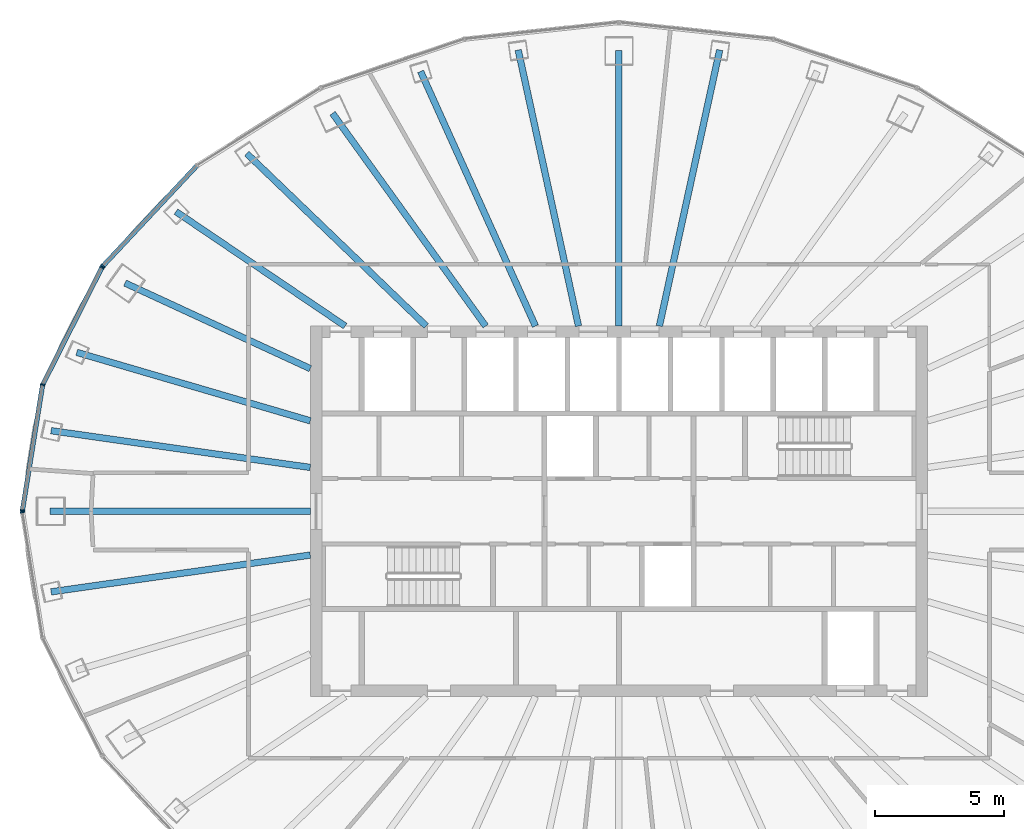
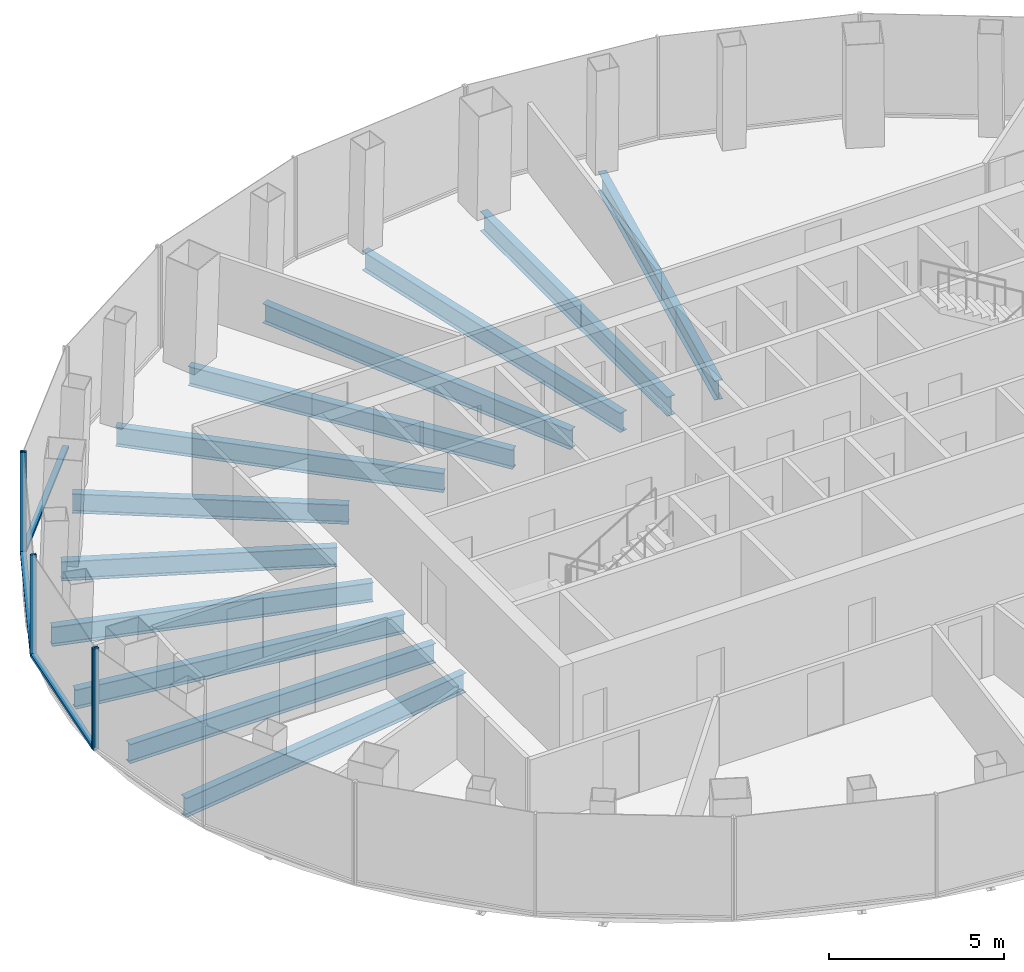
# One storey, part 4 of 11: 12 beams, 8 members, 3 elements without a shape of their own.
"""IFC4 building model written with IfcOpenShell, lengths in metres."""

import ifcopenshell
import ifcopenshell.guid

model = None  # the IFC model being written
_history = None  # IfcOwnerHistory: only IFC2X3 demands one
_inside = {}  # id of a spatial element -> (the spatial element, [elements in it])
_under = {}  # id of a project, library or spatial element -> (it, [spatial elements below it])
_declared = {}  # id of a project -> (the project, [libraries it declares])
_typed = {}  # id of a type object -> (the type object, [elements of that type])
_made_of = {}  # id of a material, layer set ... -> (it, [elements and type objects made of it])


def new_model(schema):
    """Start an empty IFC model of exactly this schema.

    Asked for "IFC4X3", IfcOpenShell would pick the latest addendum, in which some entities
    have other attributes; the version numbers below select the first issue.
    IFC2X3 requires an IfcOwnerHistory on every rooted entity: one is made here for all.
    """
    global model, _history
    if schema == "IFC4X3":
        model = ifcopenshell.file(schema_version=(4, 3, 0, 0))
    else:
        model = ifcopenshell.file(schema=schema)
    _inside.clear()
    _under.clear()
    _declared.clear()
    _typed.clear()
    _made_of.clear()
    _history = None
    if model.schema == "IFC2X3":
        org = make("IfcOrganization", Name="unknown")
        user = make(
            "IfcPersonAndOrganization",
            ThePerson=make("IfcPerson", FamilyName="unknown"),
            TheOrganization=org,
        )
        app = make(
            "IfcApplication",
            ApplicationDeveloper=org,
            Version="unknown",
            ApplicationFullName="unknown",
            ApplicationIdentifier="unknown",
        )
        _history = make(
            "IfcOwnerHistory",
            OwningUser=user,
            OwningApplication=app,
            ChangeAction="ADDED",
            CreationDate=0,
        )
    return model


def make(cls, **values):
    """One entity of the class cls with the attributes given. An attribute that is None is left unset."""
    return model.create_entity(
        cls, **{name: value for name, value in values.items() if value is not None}
    )


def rooted(cls, **values):
    """An entity with a GlobalId (a new one), such as an element, a storey or a relation."""
    return make(cls, GlobalId=ifcopenshell.guid.new(), OwnerHistory=_history, **values)


def si_unit(unit_type, name, prefix=None):
    """IfcSIUnit, for example si_unit("LENGTHUNIT", "METRE", prefix="MILLI")."""
    return make("IfcSIUnit", UnitType=unit_type, Prefix=prefix, Name=name)


def assignment(units):
    """IfcUnitAssignment: the units of a project."""
    return None if units is None else make("IfcUnitAssignment", Units=units)


def point(xyz):
    """IfcCartesianPoint."""
    return None if xyz is None else make("IfcCartesianPoint", Coordinates=xyz)


def direction(xyz):
    """IfcDirection."""
    return None if xyz is None else make("IfcDirection", DirectionRatios=xyz)


def frame(location, z_axis=None, x_axis=None):
    """IfcAxis2Placement3D, a coordinate frame: its origin and axes. An axis left out is left unset."""
    return make(
        "IfcAxis2Placement3D",
        Location=point(location),
        Axis=direction(z_axis),
        RefDirection=direction(x_axis),
    )


def frame_2d(location, x_axis=None):
    """IfcAxis2Placement2D, a coordinate frame in the plane: its origin and x axis."""
    return make(
        "IfcAxis2Placement2D", Location=point(location), RefDirection=direction(x_axis)
    )


def origin():
    """The frame at (0, 0, 0) with its axes left unset."""
    return frame((0.0, 0.0, 0.0))


def origin_2d():
    """The frame at (0, 0) in the plane with its x axis left unset."""
    return frame_2d((0.0, 0.0))


def place(relative_to, where):
    """IfcLocalPlacement: puts the frame where relative to a parent placement (None: the world)."""
    return make(
        "IfcLocalPlacement", PlacementRelTo=relative_to, RelativePlacement=where
    )


def context(
    kind, dimensions, precision=None, world=None, true_north=None, identifier=None
):
    """IfcGeometricRepresentationContext, for example the 3D "Model" context."""
    return make(
        "IfcGeometricRepresentationContext",
        ContextIdentifier=identifier,
        ContextType=kind,
        CoordinateSpaceDimension=dimensions,
        Precision=precision,
        WorldCoordinateSystem=world,
        TrueNorth=true_north,
    )


def subcontext(parent, identifier, kind, view, scale=None):
    """IfcGeometricRepresentationSubContext, for example "Body" below "Model"."""
    return make(
        "IfcGeometricRepresentationSubContext",
        ContextIdentifier=identifier,
        ContextType=kind,
        ParentContext=parent,
        TargetScale=scale,
        TargetView=view,
    )


def project(units=None, contexts=None):
    """IfcProject with its units and contexts."""
    return rooted(
        "IfcProject",
        Name="project",
        RepresentationContexts=contexts,
        UnitsInContext=assignment(units),
    )


def spatial(cls, under=None, at=None, **own):
    """A site, building, storey or space (cls), placed at a placement, below another one or the project."""
    s = rooted(cls, ObjectPlacement=at, **own)
    if under is not None:
        _under.setdefault(under.id(), (under, []))[1].append(s)
    return s


def profile(cls, at=None, kind="AREA", **sizes):
    """A parametric profile (cls). Its sizes go by their IFC names, for example OverallWidth=200.0."""
    return make(cls, ProfileType=kind, Position=at, **sizes)


def rectangle(**sizes):
    """IfcRectangleProfileDef."""
    return profile("IfcRectangleProfileDef", **sizes)


def i_section(**sizes):
    """IfcIShapeProfileDef."""
    return profile("IfcIShapeProfileDef", **sizes)


def extrude(swept, where, along, depth):
    """IfcExtrudedAreaSolid: the profile swept, set in the frame where, extruded along a direction by depth."""
    return make(
        "IfcExtrudedAreaSolid",
        SweptArea=swept,
        Position=where,
        ExtrudedDirection=direction(along),
        Depth=depth,
    )


def shape(context_of_items, identifier, shape_type, items):
    """IfcShapeRepresentation: the items that make up one representation, for example the "Body"."""
    return make(
        "IfcShapeRepresentation",
        ContextOfItems=context_of_items,
        RepresentationIdentifier=identifier,
        RepresentationType=shape_type,
        Items=items,
    )


def material(Name=None, Category=None):
    """IfcMaterial."""
    return make("IfcMaterial", Name=Name, Category=Category)


def layer(
    of_material, thickness, ventilated=None, Name=None, Category=None, Priority=None
):
    """IfcMaterialLayer: one layer of a wall or slab, of a material (None: an air gap)."""
    return make(
        "IfcMaterialLayer",
        Material=of_material,
        LayerThickness=thickness,
        IsVentilated=ventilated,
        Name=Name,
        Category=Category,
        Priority=Priority,
    )


def layer_set(layers, Name=None):
    """IfcMaterialLayerSet."""
    return make("IfcMaterialLayerSet", MaterialLayers=layers, LayerSetName=Name)


def material_profile(
    of_material, cross_section, Name=None, Category=None, Priority=None
):
    """IfcMaterialProfile: a cross section and its material."""
    return make(
        "IfcMaterialProfile",
        Name=Name,
        Material=of_material,
        Profile=cross_section,
        Priority=Priority,
        Category=Category,
    )


def profile_set(profiles, Name=None, composite=None):
    """IfcMaterialProfileSet."""
    return make(
        "IfcMaterialProfileSet",
        Name=Name,
        MaterialProfiles=profiles,
        CompositeProfile=composite,
    )


def made_of(thing, what):
    """Note that an element or type object is made of a material, layer set ...; save() writes the relation."""
    if what is not None:
        _made_of.setdefault(what.id(), (what, []))[1].append(thing)
    return thing


def type_object(cls, material=None, **own):
    """A type object (cls), such as IfcWallType, which elements share."""
    return made_of(rooted(cls, **own), material)


def element(
    cls,
    number,
    at=None,
    inside=None,
    cuts=None,
    type_object=None,
    material=None,
    context=None,
    identifier="Body",
    shape_type=None,
    held_by="IfcProductDefinitionShape",
    body=None,
    shapes=None,
    **own,
):
    """One element of the class cls, such as IfcWall. Its Tag is "e" and its number.

    at: its placement. inside: the storey or other place that contains it. cuts: it is an
    opening in that element (IfcRelVoidsElement). A single representation is given by context,
    identifier, shape_type and body (its items); several are given by shapes. held_by: the class
    of the entity that holds the representations. save() writes the other relations.
    """
    e = rooted(cls, Tag="e%d" % number, ObjectPlacement=at, **own)
    if body is not None:
        shapes = [shape(context, identifier, shape_type, body)]
    if shapes is not None:
        e.Representation = make(held_by, Representations=shapes)
    if inside is not None:
        _inside.setdefault(inside.id(), (inside, []))[1].append(e)
    if cuts is not None:
        rooted(
            "IfcRelVoidsElement", RelatingBuildingElement=cuts, RelatedOpeningElement=e
        )
    if type_object is not None:
        _typed.setdefault(type_object.id(), (type_object, []))[1].append(e)
    return made_of(e, material)


def aggregate(whole, parts):
    """IfcRelAggregates: a whole, such as a stair, and the parts it consists of."""
    return rooted("IfcRelAggregates", RelatingObject=whole, RelatedObjects=parts)


def save(model, path):
    """Write the relations noted so far, then the file.

    IfcRelAggregates (storeys below a building ...), IfcRelContainedInSpatialStructure (elements
    in a storey), IfcRelDefinesByType, IfcRelAssociatesMaterial and IfcRelDeclares: one each for
    every whole, place, type object, material and project.
    """
    for whole, parts in _under.values():
        aggregate(whole, parts)
    for where, things in _inside.values():
        rooted(
            "IfcRelContainedInSpatialStructure",
            RelatedElements=things,
            RelatingStructure=where,
        )
    for kind, things in _typed.values():
        rooted("IfcRelDefinesByType", RelatedObjects=things, RelatingType=kind)
    for what, things in _made_of.values():
        rooted("IfcRelAssociatesMaterial", RelatedObjects=things, RelatingMaterial=what)
    for by, libraries in _declared.values():
        rooted("IfcRelDeclares", RelatingContext=by, RelatedDefinitions=libraries)
    model.write(path)


model = new_model("IFC4")

# Units and contexts
model_context = context("Model", 3, precision=1e-05, world=origin(), true_north=direction((0.0, 1.0)))
body_context = subcontext(model_context, "Body", "Model", "MODEL_VIEW")
ifc_project = project(units=[si_unit("LENGTHUNIT", "METRE"), si_unit("AREAUNIT", "SQUARE_METRE"), si_unit("VOLUMEUNIT", "CUBIC_METRE"), si_unit("PLANEANGLEUNIT", "RADIAN"), si_unit("MASSUNIT", "GRAM", prefix="KILO")], contexts=[model_context])

# Site, building, storey
site_placement = place(None, origin())
site = spatial("IfcSite", under=ifc_project, at=site_placement, CompositionType="ELEMENT")
building_placement = place(site_placement, origin())
building = spatial("IfcBuilding", under=site, at=building_placement, Name="Siaravel Broadcast Tower", CompositionType="ELEMENT")
storey_placement = place(building_placement, frame((0.0, 0.0, 183.0)))
storey = spatial("IfcBuildingStorey", under=building, at=storey_placement, Name="L44", CompositionType="ELEMENT", Elevation=183.0)

# Beams
ifc_material_1 = material(Name="Steel S355", Category="steel")
ifc_material_profile_1 = material_profile(ifc_material_1, i_section(OverallWidth=0.2529296875, OverallDepth=0.677978515625, WebThickness=0.01171875, FlangeThickness=0.01611328125, FilletRadius=0.01513671875, at=origin_2d()))
ifc_profile_set_1 = profile_set([ifc_material_profile_1], Name="Steel S355")
beam_type = type_object("IfcBeamType", Name="BM-UB 686x254x125", PredefinedType="BEAM", material=ifc_profile_set_1)
beam_1_placement = place(storey_placement, frame((3.915771484375, 17.9296875, -0.489013671875), z_axis=(-0.213360748, -0.976973485, 0.0), x_axis=(0.976973485, -0.213360748, 0.0)))
element("IfcBeam", 1, at=beam_1_placement, inside=storey, type_object=beam_type, Name="Radial beam RB09", PredefinedType="BEAM", context=body_context, shape_type="SweptSolid", body=[
    extrude(i_section(OverallWidth=0.2529296875, OverallDepth=0.677978515625, WebThickness=0.01171875, FlangeThickness=0.01611328125, FilletRadius=0.01513671875, at=origin_2d()), origin(), (0.0, 0.0, 1.0), 10.982666015625),
])
beam_2_placement = place(storey_placement, frame((0.0, 17.910400390625, -0.489013671875), z_axis=(0.0, -1.0, 0.0), x_axis=(1.0, 0.0, 0.0)))
element("IfcBeam", 2, at=beam_2_placement, inside=storey, type_object=beam_type, Name="Radial beam RB10", PredefinedType="BEAM", context=body_context, shape_type="SweptSolid", body=[
    extrude(i_section(OverallWidth=0.2529296875, OverallDepth=0.677978515625, WebThickness=0.01171875, FlangeThickness=0.01611328125, FilletRadius=0.01513671875, at=origin_2d()), origin(), (0.0, 0.0, 1.0), 10.71044921875),
])
beam_3_placement = place(storey_placement, frame((-3.915771484375, 17.9296875, -0.489013671875), z_axis=(0.213360748, -0.976973485, 0.0), x_axis=(0.976973485, 0.213360748, 0.0)))
element("IfcBeam", 3, at=beam_3_placement, inside=storey, type_object=beam_type, Name="Radial beam RB11", PredefinedType="BEAM", context=body_context, shape_type="SweptSolid", body=[
    extrude(i_section(OverallWidth=0.2529296875, OverallDepth=0.677978515625, WebThickness=0.01171875, FlangeThickness=0.01611328125, FilletRadius=0.01513671875, at=origin_2d()), origin(), (0.0, 0.0, 1.0), 10.982666015625),
])
beam_4_placement = place(storey_placement, frame((-7.709228515625, 17.097412109375, -0.489013671875), z_axis=(0.41103777, -0.911618315, 0.0), x_axis=(0.911618315, 0.41103777, 0.0)))
element("IfcBeam", 4, at=beam_4_placement, inside=storey, type_object=beam_type, Name="Radial beam RB12", PredefinedType="BEAM", context=body_context, shape_type="SweptSolid", body=[
    extrude(i_section(OverallWidth=0.2529296875, OverallDepth=0.677978515625, WebThickness=0.01171875, FlangeThickness=0.01611328125, FilletRadius=0.01513671875, at=origin_2d()), origin(), (0.0, 0.0, 1.0), 10.85693359375),
])
beam_5_placement = place(storey_placement, frame((-11.134033203125, 15.468994140625, -0.489013671875), z_axis=(0.584172151, -0.811629779, 0.0), x_axis=(0.811629779, 0.584172151, 0.0)))
element("IfcBeam", 5, at=beam_5_placement, inside=storey, type_object=beam_type, Name="Radial beam RB13", PredefinedType="BEAM", context=body_context, shape_type="SweptSolid", body=[
    extrude(i_section(OverallWidth=0.2529296875, OverallDepth=0.677978515625, WebThickness=0.01171875, FlangeThickness=0.01611328125, FilletRadius=0.01513671875, at=origin_2d()), origin(), (0.0, 0.0, 1.0), 10.188232421875),
])
beam_6_placement = place(storey_placement, frame((-14.465087890625, 13.903564453125, -0.489013671875), z_axis=(0.720962538, -0.692974039, 0.0), x_axis=(0.692974039, 0.720962538, 0.0)))
element("IfcBeam", 6, at=beam_6_placement, inside=storey, type_object=beam_type, Name="Radial beam RB14", PredefinedType="BEAM", context=body_context, shape_type="SweptSolid", body=[
    extrude(i_section(OverallWidth=0.2529296875, OverallDepth=0.677978515625, WebThickness=0.01171875, FlangeThickness=0.01611328125, FilletRadius=0.01513671875, at=origin_2d()), origin(), (0.0, 0.0, 1.0), 9.673583984375),
])
beam_7_placement = place(storey_placement, frame((-17.219970703125, 11.647216796875, -0.489013671875), z_axis=(0.82831238, -0.560266545, 0.0), x_axis=(0.560266545, 0.82831238, 0.0)))
element("IfcBeam", 7, at=beam_7_placement, inside=storey, type_object=beam_type, Name="Radial beam RB15", PredefinedType="BEAM", context=body_context, shape_type="SweptSolid", body=[
    extrude(i_section(OverallWidth=0.2529296875, OverallDepth=0.677978515625, WebThickness=0.01171875, FlangeThickness=0.01611328125, FilletRadius=0.01513671875, at=origin_2d()), origin(), (0.0, 0.0, 1.0), 7.937744140625),
])
beam_8_placement = place(storey_placement, frame((-19.2001953125, 8.87158203125, -0.489013671875), z_axis=(0.907780023, -0.419446575, 0.0), x_axis=(0.419446575, 0.907780023, 0.0)))
element("IfcBeam", 8, at=beam_8_placement, inside=storey, type_object=beam_type, Name="Radial beam RB16", PredefinedType="BEAM", context=body_context, shape_type="SweptSolid", body=[
    extrude(i_section(OverallWidth=0.2529296875, OverallDepth=0.677978515625, WebThickness=0.01171875, FlangeThickness=0.01611328125, FilletRadius=0.01513671875, at=origin_2d()), origin(), (0.0, 0.0, 1.0), 7.931640625),
])
beam_9_placement = place(storey_placement, frame((-21.077880859375, 6.177001953125, -0.489013671875), z_axis=(0.959638752, -0.281235605, 0.0), x_axis=(0.281235605, 0.959638752, 0.0)))
element("IfcBeam", 9, at=beam_9_placement, inside=storey, type_object=beam_type, Name="Radial beam RB17", PredefinedType="BEAM", context=body_context, shape_type="SweptSolid", body=[
    extrude(i_section(OverallWidth=0.2529296875, OverallDepth=0.677978515625, WebThickness=0.01171875, FlangeThickness=0.01611328125, FilletRadius=0.01513671875, at=origin_2d()), origin(), (0.0, 0.0, 1.0), 9.459716796875),
])
beam_10_placement = place(storey_placement, frame((-22.07373046875, 3.1328125, -0.489013671875), z_axis=(0.990078651, -0.140514289, 0.0), x_axis=(0.140514289, 0.990078651, 0.0)))
element("IfcBeam", 10, at=beam_10_placement, inside=storey, type_object=beam_type, Name="Radial beam RB18", PredefinedType="BEAM", context=body_context, shape_type="SweptSolid", body=[
    extrude(i_section(OverallWidth=0.2529296875, OverallDepth=0.677978515625, WebThickness=0.01171875, FlangeThickness=0.01611328125, FilletRadius=0.01513671875, at=origin_2d()), origin(), (0.0, 0.0, 1.0), 10.174560546875),
])
beam_11_placement = place(storey_placement, frame((-22.1083984375, 0.0, -0.489013671875), z_axis=(1.0, 0.0, 0.0), x_axis=(0.0, 1.0, 0.0)))
element("IfcBeam", 11, at=beam_11_placement, inside=storey, type_object=beam_type, Name="Radial beam RB19", PredefinedType="BEAM", context=body_context, shape_type="SweptSolid", body=[
    extrude(i_section(OverallWidth=0.2529296875, OverallDepth=0.677978515625, WebThickness=0.01171875, FlangeThickness=0.01611328125, FilletRadius=0.01513671875, at=origin_2d()), origin(), (0.0, 0.0, 1.0), 10.1083984375),
])
beam_12_placement = place(storey_placement, frame((-22.07373046875, -3.1328125, -0.489013671875), z_axis=(0.990078651, 0.140514289, 0.0), x_axis=(-0.140514289, 0.990078651, 0.0)))
element("IfcBeam", 12, at=beam_12_placement, inside=storey, type_object=beam_type, Name="Radial beam RB20", PredefinedType="BEAM", context=body_context, shape_type="SweptSolid", body=[
    extrude(i_section(OverallWidth=0.2529296875, OverallDepth=0.677978515625, WebThickness=0.01171875, FlangeThickness=0.01611328125, FilletRadius=0.01513671875, at=origin_2d()), origin(), (0.0, 0.0, 1.0), 10.174560546875),
])

# Curtain wall, member
ifc_material_2 = material(Name="Aluminium 6063-T6", Category="aluminium")
ifc_layer = layer(ifc_material_2, 0.179931640625)
ifc_layer_set = layer_set([ifc_layer], Name="Aluminium 6063-T6")
curtain_wall_type = type_object("IfcCurtainWallType", Name="Unitised curtain wall, zone 3", PredefinedType="NOTDEFINED", material=ifc_layer_set)
curtain_wall_1_placement = place(storey_placement, origin())
curtain_wall_1 = element("IfcCurtainWall", 13, at=curtain_wall_1_placement, inside=storey, type_object=curtain_wall_type, Name="L44 Unitised curtain wall, zone 3 05", PredefinedType="NOTDEFINED")
ifc_material_profile_2 = material_profile(ifc_material_2, rectangle(XDim=0.179931640625, YDim=0.06005859375, at=origin_2d()))
ifc_profile_set_2 = profile_set([ifc_material_profile_2], Name="Aluminium 6063-T6")
member_type_1 = type_object("IfcMemberType", Name="CW-Z3 mullion", PredefinedType="MULLION", material=ifc_profile_set_2)
member_1_placement = place(storey_placement, frame((-20.064208984375, 9.52978515625, 0.0), z_axis=(0.0, 0.0, 1.0), x_axis=(0.729805016, -0.683655351, 0.0)))
member_1 = element("IfcMember", 14, at=member_1_placement, type_object=member_type_1, Name="CW-Z3 mullion 3", PredefinedType="MULLION", context=body_context, shape_type="SweptSolid", body=[
    extrude(rectangle(XDim=0.179931640625, YDim=0.06005859375, at=origin_2d()), origin(), (0.0, 0.0, 1.0), 3.550048828125),
])

# Curtain wall, members
curtain_wall_2_placement = place(storey_placement, origin())
curtain_wall_2 = element("IfcCurtainWall", 15, at=curtain_wall_2_placement, inside=storey, type_object=curtain_wall_type, Name="L44 Unitised curtain wall, zone 3 06", PredefinedType="NOTDEFINED")
member_2_placement = place(storey_placement, frame((-20.09814453125, 9.48095703125, 0.0), z_axis=(0.0, 0.0, 1.0), x_axis=(0.892392002, -0.451261028, 0.0)))
member_2 = element("IfcMember", 16, at=member_2_placement, type_object=member_type_1, Name="CW-Z3 mullion 1", PredefinedType="MULLION", context=body_context, shape_type="SweptSolid", body=[
    extrude(rectangle(XDim=0.179931640625, YDim=0.06005859375, at=origin_2d()), origin(), (0.0, 0.0, 1.0), 3.550048828125),
])
member_3_placement = place(storey_placement, frame((-22.4033203125, 4.922119140625, 0.0), z_axis=(0.0, 0.0, 1.0), x_axis=(0.95117718, -0.308645383, 0.0)))
member_3 = element("IfcMember", 17, at=member_3_placement, type_object=member_type_1, Name="CW-Z3 mullion 2", PredefinedType="MULLION", context=body_context, shape_type="SweptSolid", body=[
    extrude(rectangle(XDim=0.179931640625, YDim=0.06005859375, at=origin_2d()), origin(), (0.0, 0.0, 1.0), 3.550048828125),
])
member_4_placement = place(storey_placement, frame((-23.189697265625, 0.029541015625, 0.0), z_axis=(0.0, 0.0, 1.0), x_axis=(0.987329174, -0.158685547, 0.0)))
member_4 = element("IfcMember", 18, at=member_4_placement, type_object=member_type_1, Name="CW-Z3 mullion 3", PredefinedType="MULLION", context=body_context, shape_type="SweptSolid", body=[
    extrude(rectangle(XDim=0.179931640625, YDim=0.06005859375, at=origin_2d()), origin(), (0.0, 0.0, 1.0), 3.550048828125),
])

# Curtain wall, member
curtain_wall_3_placement = place(storey_placement, origin())
curtain_wall_3 = element("IfcCurtainWall", 19, at=curtain_wall_3_placement, inside=storey, type_object=curtain_wall_type, Name="L44 Unitised curtain wall, zone 3 07", PredefinedType="NOTDEFINED")
member_5_placement = place(storey_placement, frame((-23.189697265625, -0.029541015625, 0.0), z_axis=(0.0, 0.0, 1.0), x_axis=(0.987329174, 0.158685547, 0.0)))
member_5 = element("IfcMember", 20, at=member_5_placement, type_object=member_type_1, Name="CW-Z3 mullion 1", PredefinedType="MULLION", context=body_context, shape_type="SweptSolid", body=[
    extrude(rectangle(XDim=0.179931640625, YDim=0.06005859375, at=origin_2d()), origin(), (0.0, 0.0, 1.0), 3.550048828125),
])
aggregate(curtain_wall_3, [member_5])

# Member
ifc_material_profile_3 = material_profile(ifc_material_2, rectangle(XDim=0.179931640625, YDim=0.10009765625, at=origin_2d()))
ifc_profile_set_3 = profile_set([ifc_material_profile_3], Name="Aluminium 6063-T6")
member_type_2 = type_object("IfcMemberType", Name="CW-Z3 transom", PredefinedType="USERDEFINED", material=ifc_profile_set_3)
member_6_placement = place(storey_placement, frame((-16.417724609375, 13.422119140625, 0.050048828125), z_axis=(-0.683668525, -0.729792674, 0.0), x_axis=(0.729792674, -0.683668525, 0.0)))
member_6 = element("IfcMember", 21, at=member_6_placement, type_object=member_type_2, Name="CW-Z3 transom 2", ObjectType="TRANSOM", PredefinedType="USERDEFINED", context=body_context, shape_type="SweptSolid", body=[
    extrude(rectangle(XDim=0.179931640625, YDim=0.10009765625, at=origin_2d()), origin(), (0.0, 0.0, 1.0), 5.3037109375),
])

aggregate(curtain_wall_1, [member_1, member_6])

member_7_placement = place(storey_placement, frame((-20.11181640625, 9.4541015625, 0.050048828125), z_axis=(-0.451251966, -0.892396584, 0.0), x_axis=(0.892396584, -0.451251966, 0.0)))
member_7 = element("IfcMember", 22, at=member_7_placement, type_object=member_type_2, Name="CW-Z3 transom 1", ObjectType="TRANSOM", PredefinedType="USERDEFINED", context=body_context, shape_type="SweptSolid", body=[
    extrude(rectangle(XDim=0.179931640625, YDim=0.10009765625, at=origin_2d()), origin(), (0.0, 0.0, 1.0), 5.04833984375),
])

member_8_placement = place(storey_placement, frame((-22.408203125, 4.892578125, 0.050048828125), z_axis=(-0.158686777, -0.987328976, 0.0), x_axis=(0.987328976, -0.158686777, 0.0)))
member_8 = element("IfcMember", 23, at=member_8_placement, type_object=member_type_2, Name="CW-Z3 transom 2", ObjectType="TRANSOM", PredefinedType="USERDEFINED", context=body_context, shape_type="SweptSolid", body=[
    extrude(rectangle(XDim=0.179931640625, YDim=0.10009765625, at=origin_2d()), origin(), (0.0, 0.0, 1.0), 4.8955078125),
])

aggregate(curtain_wall_2, [member_2, member_3, member_4, member_7, member_8])

save(model, "model.ifc")
